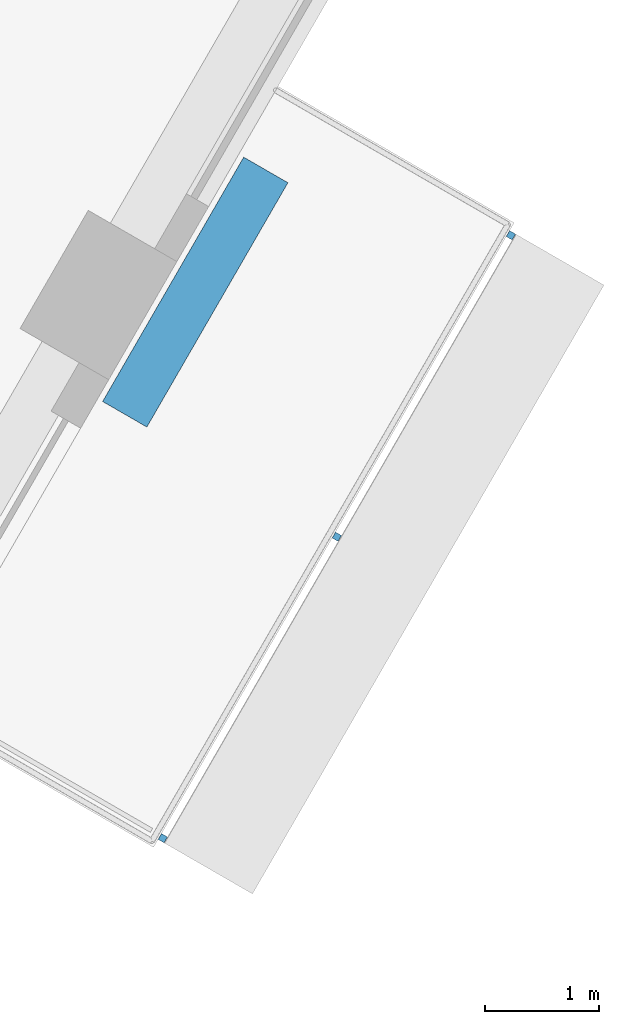
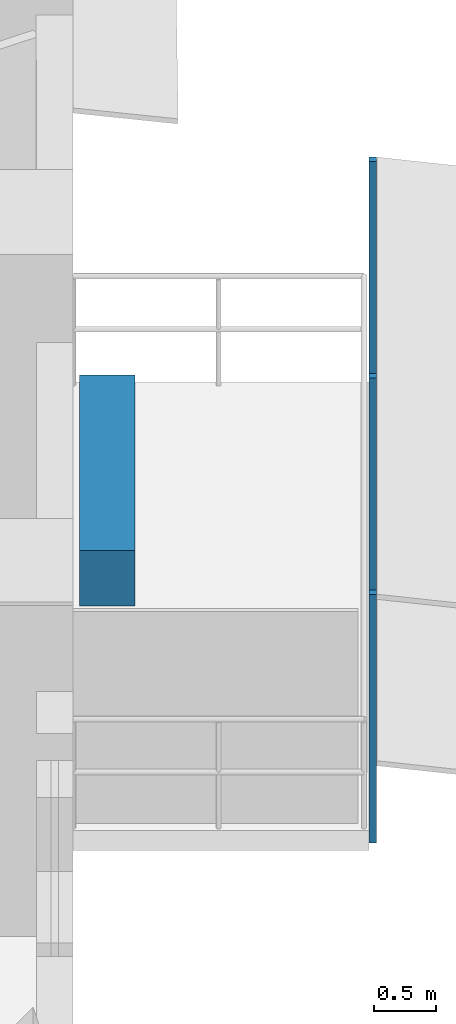
# One storey, part 11 of 15: 4 discrete accessories.
"""IFC4 building model written with IfcOpenShell, lengths in metres."""

from ifc_helpers import new_model, si_unit, direction, frame, origin, origin_2d, place, context, subcontext, project, spatial, rectangle, extrude, material, type_object, element, save


model = new_model("IFC4")

# Units and contexts
model_context = context("Model", 3, precision=1e-05, world=origin(), true_north=direction((0.0, 1.0)))
body_context = subcontext(model_context, "Body", "Model", "MODEL_VIEW")
ifc_project = project(units=[si_unit("LENGTHUNIT", "METRE"), si_unit("AREAUNIT", "SQUARE_METRE"), si_unit("VOLUMEUNIT", "CUBIC_METRE"), si_unit("PLANEANGLEUNIT", "RADIAN"), si_unit("MASSUNIT", "GRAM", prefix="KILO")], contexts=[model_context])

# Site, building, storey
site_placement = place(None, origin())
site = spatial("IfcSite", under=ifc_project, at=site_placement, CompositionType="ELEMENT")
building_placement = place(site_placement, origin())
building = spatial("IfcBuilding", under=site, at=building_placement, Name="Nakaniwa Court", CompositionType="ELEMENT")
storey_placement = place(building_placement, frame((0.0, 0.0, 183.300048828125)))
storey = spatial("IfcBuildingStorey", under=building, at=storey_placement, Name="L47", CompositionType="ELEMENT", Elevation=183.300048828125)

# Discrete accessories
ifc_material_1 = material(Name="Black powder-coated steel bracket S275", Category="steel")
discrete_accessory_type_1 = type_object("IfcDiscreteAccessoryType", Name="Black metal louvre bracket", PredefinedType="BRACKET", material=ifc_material_1)
for number, where, z_axis, x_axis, name in (
    (1, (99.70556640625, 63.970947265625, -0.22998046875), (0.0, 0.0, 1.0), (0.500016626402, 0.866015804314, 0.0), "L47 louvre bracket 02 1"),
    (2, (101.237060546875, 66.62353515625, -0.22998046875), (0.0, 0.0, 1.0), (0.500016626402, 0.866015804314, 0.0), "L47 louvre bracket 02 2"),
    (3, (102.7685546875, 69.276123046875, -0.22998046875), (0.0, 0.0, 1.0), (0.500016626402, 0.866015804314, 0.0), "L47 louvre bracket 02 3"),
):
    element("IfcDiscreteAccessory", number, at=place(storey_placement, frame(where, z_axis=z_axis, x_axis=x_axis)), inside=storey, type_object=discrete_accessory_type_1, Name=name, PredefinedType="BRACKET", context=body_context, shape_type="SweptSolid", body=[
        extrude(rectangle(XDim=0.06005859375, YDim=0.06005859375, at=origin_2d()), origin(), (0.0, 0.0, 1.0), 2.46337890625),
    ])
ifc_material_2 = material(Name="Precast concrete C40/50 planter with planted soil", Category="concrete")
discrete_accessory_type_2 = type_object("IfcDiscreteAccessoryType", Name="Planter box charcoal concrete", PredefinedType="USERDEFINED", material=ifc_material_2)
discrete_accessory_placement = place(storey_placement, frame((99.991455078125, 68.776123046875, -0.05029296875), z_axis=(0.0, 0.0, 1.0), x_axis=(0.500016626402, 0.866015804314, 0.0)))
element("IfcDiscreteAccessory", 4, at=discrete_accessory_placement, inside=storey, type_object=discrete_accessory_type_2, Name="L47 balcony PLANTER 02", ObjectType="PLANTER", PredefinedType="USERDEFINED", context=body_context, shape_type="SweptSolid", body=[
    extrude(rectangle(XDim=2.48291015625, YDim=0.449951171875, at=origin_2d()), origin(), (0.0, 0.0, 1.0), 0.550048828125),
])

save(model, "model.ifc")
